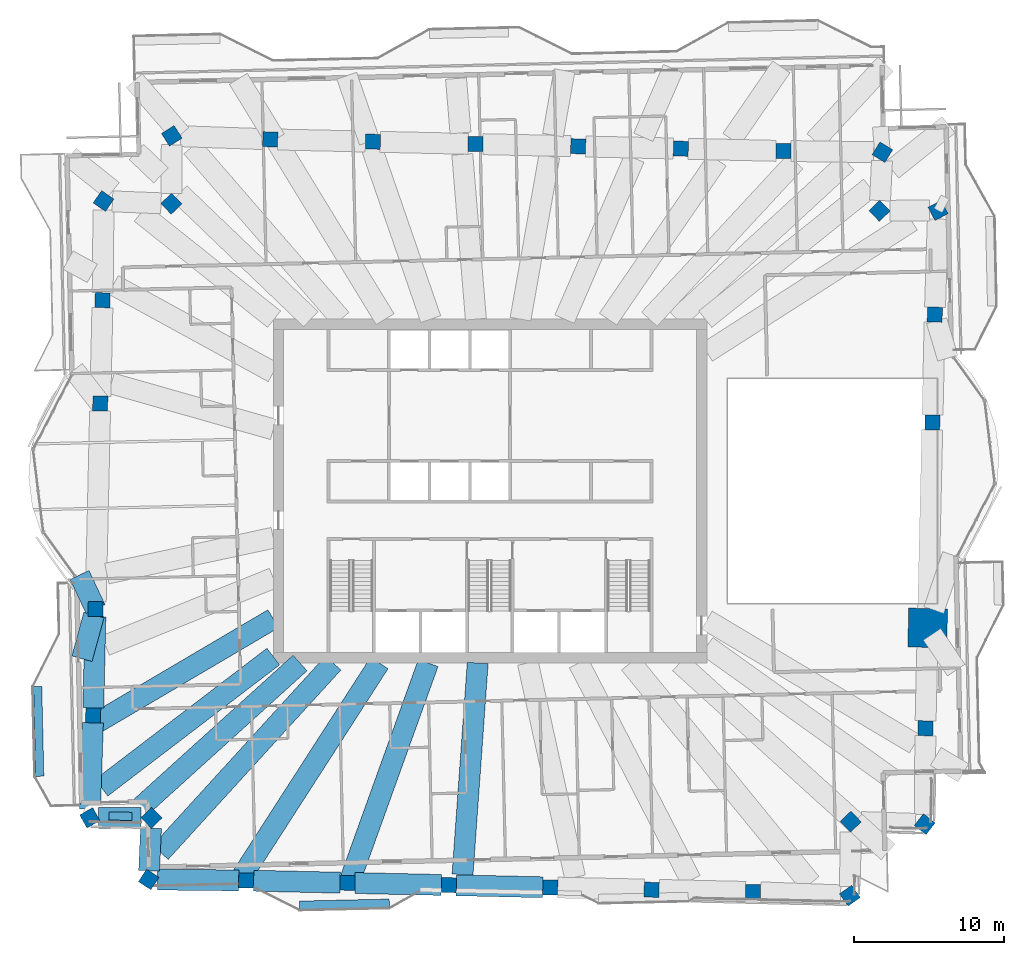
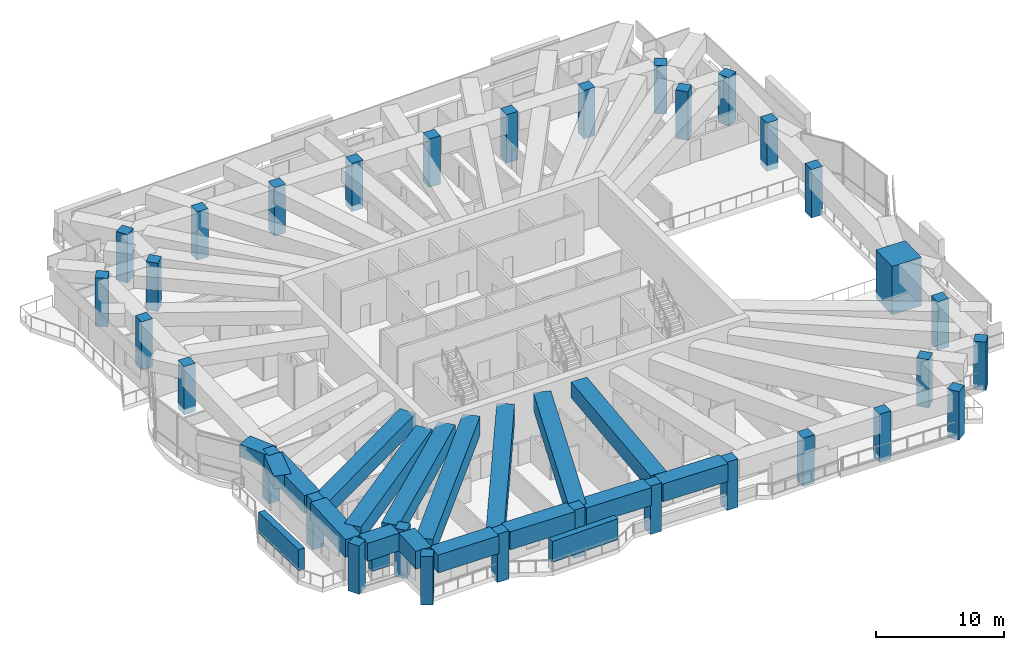
# One storey, part 1 of 21: 32 columns, 17 beams, 3 members.
"""IFC4 building model written with IfcOpenShell, lengths in metres."""

import ifcopenshell
import ifcopenshell.guid

model = None  # the IFC model being written
_history = None  # IfcOwnerHistory: only IFC2X3 demands one
_inside = {}  # id of a spatial element -> (the spatial element, [elements in it])
_under = {}  # id of a project, library or spatial element -> (it, [spatial elements below it])
_declared = {}  # id of a project -> (the project, [libraries it declares])
_typed = {}  # id of a type object -> (the type object, [elements of that type])
_made_of = {}  # id of a material, layer set ... -> (it, [elements and type objects made of it])


def new_model(schema):
    """Start an empty IFC model of exactly this schema.

    Asked for "IFC4X3", IfcOpenShell would pick the latest addendum, in which some entities
    have other attributes; the version numbers below select the first issue.
    IFC2X3 requires an IfcOwnerHistory on every rooted entity: one is made here for all.
    """
    global model, _history
    if schema == "IFC4X3":
        model = ifcopenshell.file(schema_version=(4, 3, 0, 0))
    else:
        model = ifcopenshell.file(schema=schema)
    _inside.clear()
    _under.clear()
    _declared.clear()
    _typed.clear()
    _made_of.clear()
    _history = None
    if model.schema == "IFC2X3":
        org = make("IfcOrganization", Name="unknown")
        user = make(
            "IfcPersonAndOrganization",
            ThePerson=make("IfcPerson", FamilyName="unknown"),
            TheOrganization=org,
        )
        app = make(
            "IfcApplication",
            ApplicationDeveloper=org,
            Version="unknown",
            ApplicationFullName="unknown",
            ApplicationIdentifier="unknown",
        )
        _history = make(
            "IfcOwnerHistory",
            OwningUser=user,
            OwningApplication=app,
            ChangeAction="ADDED",
            CreationDate=0,
        )
    return model


def make(cls, **values):
    """One entity of the class cls with the attributes given. An attribute that is None is left unset."""
    return model.create_entity(
        cls, **{name: value for name, value in values.items() if value is not None}
    )


def rooted(cls, **values):
    """An entity with a GlobalId (a new one), such as an element, a storey or a relation."""
    return make(cls, GlobalId=ifcopenshell.guid.new(), OwnerHistory=_history, **values)


def si_unit(unit_type, name, prefix=None):
    """IfcSIUnit, for example si_unit("LENGTHUNIT", "METRE", prefix="MILLI")."""
    return make("IfcSIUnit", UnitType=unit_type, Prefix=prefix, Name=name)


def assignment(units):
    """IfcUnitAssignment: the units of a project."""
    return None if units is None else make("IfcUnitAssignment", Units=units)


def point(xyz):
    """IfcCartesianPoint."""
    return None if xyz is None else make("IfcCartesianPoint", Coordinates=xyz)


def direction(xyz):
    """IfcDirection."""
    return None if xyz is None else make("IfcDirection", DirectionRatios=xyz)


def frame(location, z_axis=None, x_axis=None):
    """IfcAxis2Placement3D, a coordinate frame: its origin and axes. An axis left out is left unset."""
    return make(
        "IfcAxis2Placement3D",
        Location=point(location),
        Axis=direction(z_axis),
        RefDirection=direction(x_axis),
    )


def frame_2d(location, x_axis=None):
    """IfcAxis2Placement2D, a coordinate frame in the plane: its origin and x axis."""
    return make(
        "IfcAxis2Placement2D", Location=point(location), RefDirection=direction(x_axis)
    )


def origin():
    """The frame at (0, 0, 0) with its axes left unset."""
    return frame((0.0, 0.0, 0.0))


def origin_2d():
    """The frame at (0, 0) in the plane with its x axis left unset."""
    return frame_2d((0.0, 0.0))


def place(relative_to, where):
    """IfcLocalPlacement: puts the frame where relative to a parent placement (None: the world)."""
    return make(
        "IfcLocalPlacement", PlacementRelTo=relative_to, RelativePlacement=where
    )


def context(
    kind, dimensions, precision=None, world=None, true_north=None, identifier=None
):
    """IfcGeometricRepresentationContext, for example the 3D "Model" context."""
    return make(
        "IfcGeometricRepresentationContext",
        ContextIdentifier=identifier,
        ContextType=kind,
        CoordinateSpaceDimension=dimensions,
        Precision=precision,
        WorldCoordinateSystem=world,
        TrueNorth=true_north,
    )


def subcontext(parent, identifier, kind, view, scale=None):
    """IfcGeometricRepresentationSubContext, for example "Body" below "Model"."""
    return make(
        "IfcGeometricRepresentationSubContext",
        ContextIdentifier=identifier,
        ContextType=kind,
        ParentContext=parent,
        TargetScale=scale,
        TargetView=view,
    )


def project(units=None, contexts=None):
    """IfcProject with its units and contexts."""
    return rooted(
        "IfcProject",
        Name="project",
        RepresentationContexts=contexts,
        UnitsInContext=assignment(units),
    )


def spatial(cls, under=None, at=None, **own):
    """A site, building, storey or space (cls), placed at a placement, below another one or the project."""
    s = rooted(cls, ObjectPlacement=at, **own)
    if under is not None:
        _under.setdefault(under.id(), (under, []))[1].append(s)
    return s


def profile(cls, at=None, kind="AREA", **sizes):
    """A parametric profile (cls). Its sizes go by their IFC names, for example OverallWidth=200.0."""
    return make(cls, ProfileType=kind, Position=at, **sizes)


def rectangle(**sizes):
    """IfcRectangleProfileDef."""
    return profile("IfcRectangleProfileDef", **sizes)


def extrude(swept, where, along, depth):
    """IfcExtrudedAreaSolid: the profile swept, set in the frame where, extruded along a direction by depth."""
    return make(
        "IfcExtrudedAreaSolid",
        SweptArea=swept,
        Position=where,
        ExtrudedDirection=direction(along),
        Depth=depth,
    )


def shape(context_of_items, identifier, shape_type, items):
    """IfcShapeRepresentation: the items that make up one representation, for example the "Body"."""
    return make(
        "IfcShapeRepresentation",
        ContextOfItems=context_of_items,
        RepresentationIdentifier=identifier,
        RepresentationType=shape_type,
        Items=items,
    )


def material(Name=None, Category=None):
    """IfcMaterial."""
    return make("IfcMaterial", Name=Name, Category=Category)


def material_profile(
    of_material, cross_section, Name=None, Category=None, Priority=None
):
    """IfcMaterialProfile: a cross section and its material."""
    return make(
        "IfcMaterialProfile",
        Name=Name,
        Material=of_material,
        Profile=cross_section,
        Priority=Priority,
        Category=Category,
    )


def profile_set(profiles, Name=None, composite=None):
    """IfcMaterialProfileSet."""
    return make(
        "IfcMaterialProfileSet",
        Name=Name,
        MaterialProfiles=profiles,
        CompositeProfile=composite,
    )


def made_of(thing, what):
    """Note that an element or type object is made of a material, layer set ...; save() writes the relation."""
    if what is not None:
        _made_of.setdefault(what.id(), (what, []))[1].append(thing)
    return thing


def type_object(cls, material=None, **own):
    """A type object (cls), such as IfcWallType, which elements share."""
    return made_of(rooted(cls, **own), material)


def element(
    cls,
    number,
    at=None,
    inside=None,
    cuts=None,
    type_object=None,
    material=None,
    context=None,
    identifier="Body",
    shape_type=None,
    held_by="IfcProductDefinitionShape",
    body=None,
    shapes=None,
    **own,
):
    """One element of the class cls, such as IfcWall. Its Tag is "e" and its number.

    at: its placement. inside: the storey or other place that contains it. cuts: it is an
    opening in that element (IfcRelVoidsElement). A single representation is given by context,
    identifier, shape_type and body (its items); several are given by shapes. held_by: the class
    of the entity that holds the representations. save() writes the other relations.
    """
    e = rooted(cls, Tag="e%d" % number, ObjectPlacement=at, **own)
    if body is not None:
        shapes = [shape(context, identifier, shape_type, body)]
    if shapes is not None:
        e.Representation = make(held_by, Representations=shapes)
    if inside is not None:
        _inside.setdefault(inside.id(), (inside, []))[1].append(e)
    if cuts is not None:
        rooted(
            "IfcRelVoidsElement", RelatingBuildingElement=cuts, RelatedOpeningElement=e
        )
    if type_object is not None:
        _typed.setdefault(type_object.id(), (type_object, []))[1].append(e)
    return made_of(e, material)


def aggregate(whole, parts):
    """IfcRelAggregates: a whole, such as a stair, and the parts it consists of."""
    return rooted("IfcRelAggregates", RelatingObject=whole, RelatedObjects=parts)


def save(model, path):
    """Write the relations noted so far, then the file.

    IfcRelAggregates (storeys below a building ...), IfcRelContainedInSpatialStructure (elements
    in a storey), IfcRelDefinesByType, IfcRelAssociatesMaterial and IfcRelDeclares: one each for
    every whole, place, type object, material and project.
    """
    for whole, parts in _under.values():
        aggregate(whole, parts)
    for where, things in _inside.values():
        rooted(
            "IfcRelContainedInSpatialStructure",
            RelatedElements=things,
            RelatingStructure=where,
        )
    for kind, things in _typed.values():
        rooted("IfcRelDefinesByType", RelatedObjects=things, RelatingType=kind)
    for what, things in _made_of.values():
        rooted("IfcRelAssociatesMaterial", RelatedObjects=things, RelatingMaterial=what)
    for by, libraries in _declared.values():
        rooted("IfcRelDeclares", RelatingContext=by, RelatedDefinitions=libraries)
    model.write(path)


model = new_model("IFC4")

# Units and contexts
model_context = context("Model", 3, precision=1e-05, world=origin(), true_north=direction((0.0, 1.0)))
body_context = subcontext(model_context, "Body", "Model", "MODEL_VIEW")
ifc_project = project(units=[si_unit("LENGTHUNIT", "METRE"), si_unit("AREAUNIT", "SQUARE_METRE"), si_unit("VOLUMEUNIT", "CUBIC_METRE"), si_unit("PLANEANGLEUNIT", "RADIAN"), si_unit("MASSUNIT", "GRAM", prefix="KILO")], contexts=[model_context])

# Site, building, storey
site_placement = place(None, origin())
site = spatial("IfcSite", under=ifc_project, at=site_placement, CompositionType="ELEMENT")
building_placement = place(site_placement, origin())
building = spatial("IfcBuilding", under=site, at=building_placement, Name="Mangrove Gate Tower", CompositionType="ELEMENT")
storey_placement = place(building_placement, frame((0.0, 0.0, 275.300048828125)))
storey = spatial("IfcBuildingStorey", under=building, at=storey_placement, Name="L70", CompositionType="ELEMENT", Elevation=275.300048828125)

# Columns
ifc_material_1 = material(Name="Concrete C50/60", Category="concrete")
ifc_material_profile_1 = material_profile(ifc_material_1, rectangle(XDim=1.0, YDim=1.0, at=origin_2d()))
ifc_profile_set_1 = profile_set([ifc_material_profile_1], Name="Concrete C50/60")
column_type_1 = type_object("IfcColumnType", Name="Column RC 1000x1000 C50/60", PredefinedType="COLUMN", material=ifc_profile_set_1)
for number, where, z_axis, x_axis, name in (
    (1, (-26.385009765625, -7.892333984375, -0.550048828125), (0.0, 0.0, 1.0), (-0.022672414846, -0.999742947765, 0.0), "Column L70 W05"),
    (2, (-26.546142578125, -15.002197265625, -0.550048828125), (0.0, 0.0, 1.0), (-0.022636766921, -0.999743755561, 0.0), "Column L70 W06"),
    (3, (-26.770751953125, -21.857666015625, -0.550048828125), (0.0, 0.0, 1.0), (0.488846659431, -0.872369728706, 0.0), "Column L70 W07"),
    (4, (-22.646484375, -21.8515625, -0.550048828125), (0.0, 0.0, 1.0), (0.690844076144, -0.723003777622, 0.0), "Column L70 W08"),
    (5, (-22.8310546875, -25.97705078125, -0.550048828125), (0.0, 0.0, 1.0), (0.837962090781, -0.545728443838, 0.0), "Column L70 S01"),
    (6, (-16.312744140625, -26.050048828125, -0.550048828125), (0.0, 0.0, 1.0), (0.999742139886, -0.022708010396, 0.0), "Column L70 S02"),
    (7, (-9.53271484375, -26.2041015625, -0.550048828125), (0.0, 0.0, 1.0), (0.99974381087, -0.022634324086, 0.0), "Column L70 S03"),
    (8, (-2.752685546875, -26.357177734375, -0.550048828125), (0.0, 0.0, 1.0), (0.99974381087, -0.022634324086, 0.0), "Column L70 S04"),
    (9, (4.02734375, -26.51123046875, -0.550048828125), (0.0, 0.0, 1.0), (0.999742139886, -0.022708010396, 0.0), "Column L70 S05"),
    (10, (10.807373046875, -26.6650390625, -0.550048828125), (0.0, 0.0, 1.0), (0.999742139886, -0.022708010396, 0.0), "Column L70 S06"),
    (11, (17.58740234375, -26.819091796875, -0.550048828125), (0.0, 0.0, 1.0), (0.999742139886, -0.022708010396, 0.0), "Column L70 S07"),
    (12, (24.068359375, -27.06396484375, -0.550048828125), (0.0, 0.0, 1.0), (0.818120763293, 0.575046447402, 0.0), "Column L70 S08"),
    (13, (24.12353515625, -22.112548828125, -0.550048828125), (0.0, 0.0, 1.0), (0.722976563275, 0.690872556232, 0.0), "Column L70 E01"),
    (14, (29.073974609375, -22.2802734375, -0.550048828125), (0.0, 0.0, 1.0), (0.615428397343, 0.788192798586, 0.0), "Column L70 E02"),
    (15, (29.1201171875, -15.86572265625, -0.550048828125), (0.0, 0.0, 1.0), (0.022718026002, 0.999741912343, 0.0), "Column L70 E03"),
    (16, (29.585205078125, 4.59228515625, -0.550048828125), (0.0, 0.0, 1.0), (0.022659642318, 0.999743237341, 0.0), "Column L70 E05"),
    (17, (29.748046875, 11.80224609375, -0.550048828125), (0.0, 0.0, 1.0), (0.0226694311, 0.999743015426, 0.0), "Column L70 E06"),
    (18, (29.96923828125, 18.76953125, -0.550048828125), (0.0, 0.0, 1.0), (-0.465021631321, 0.885299317973, 0.0), "Column L70 E07"),
    (19, (26.051513671875, 18.74658203125, -0.550048828125), (0.0, 0.0, 1.0), (-0.690925538708, 0.722925929788, 0.0), "Column L70 E08"),
    (20, (26.24267578125, 22.664794921875, -0.550048828125), (0.0, 0.0, 1.0), (-0.852456548942, 0.522798079727, 0.0), "Column L70 N01"),
    (21, (19.626708984375, 22.7470703125, -0.550048828125), (0.0, 0.0, 1.0), (-0.999741985691, 0.022714797976, 0.0), "Column L70 N02"),
    (22, (12.7607421875, 22.903076171875, -0.550048828125), (0.0, 0.0, 1.0), (-0.999741948423, 0.022716438162, 0.0), "Column L70 N03"),
    (23, (5.895751953125, 23.05908203125, -0.550048828125), (0.0, 0.0, 1.0), (-0.999741948423, 0.022716438162, 0.0), "Column L70 N04"),
    (24, (-0.97021484375, 23.215087890625, -0.550048828125), (0.0, 0.0, 1.0), (-0.999743636626, 0.022642019015, 0.0), "Column L70 N05"),
    (25, (-7.83642578125, 23.3701171875, -0.550048828125), (0.0, 0.0, 1.0), (-0.999743599083, 0.022643676653, 0.0), "Column L70 N06"),
    (26, (-14.701416015625, 23.526123046875, -0.550048828125), (0.0, 0.0, 1.0), (-0.999741948423, 0.022716438162, 0.0), "Column L70 N07"),
    (27, (-21.287353515625, 23.760498046875, -0.550048828125), (0.0, 0.0, 1.0), (-0.843247759492, -0.53752508417, 0.0), "Column L70 N08"),
    (28, (-21.314453125, 19.221435546875, -0.550048828125), (0.0, 0.0, 1.0), (-0.722988982899, -0.690859559249, 0.0), "Column L70 W01"),
    (29, (-25.84912109375, 19.401611328125, -0.550048828125), (0.0, 0.0, 1.0), (-0.572799342172, -0.819695622538, 0.0), "Column L70 W02"),
    (30, (-25.916015625, 12.765625, -0.550048828125), (0.0, 0.0, 1.0), (-0.022711552501, -0.999742059425, 0.0), "Column L70 W03"),
    (31, (-26.0732421875, 5.854736328125, -0.550048828125), (0.0, 0.0, 1.0), (-0.022697227041, -0.99974238476, 0.0), "Column L70 W04"),
):
    element("IfcColumn", number, at=place(storey_placement, frame(where, z_axis=z_axis, x_axis=x_axis)), inside=storey, type_object=column_type_1, Name=name, PredefinedType="COLUMN", context=body_context, shape_type="SweptSolid", body=[
        extrude(rectangle(XDim=1.0, YDim=1.0, at=origin_2d()), origin(), (0.0, 0.0, 1.0), 4.60009765625),
    ])
ifc_material_2 = material(Name="Concrete C50/60", Category="concrete")
ifc_material_profile_2 = material_profile(ifc_material_2, rectangle(XDim=2.60009765625, YDim=2.60009765625, at=origin_2d()))
ifc_profile_set_2 = profile_set([ifc_material_profile_2], Name="Concrete C50/60")
column_type_2 = type_object("IfcColumnType", Name="Column RC 2600x2600 C50/60", PredefinedType="COLUMN", material=ifc_profile_set_2)
column_placement = place(storey_placement, frame((29.273193359375, -9.154541015625, -0.550048828125), z_axis=(0.0, 0.0, 1.0), x_axis=(0.022723627062, 0.999741785049, 0.0)))
element("IfcColumn", 32, at=column_placement, inside=storey, type_object=column_type_2, Name="Column L70 E04", PredefinedType="COLUMN", context=body_context, shape_type="SweptSolid", body=[
    extrude(rectangle(XDim=2.60009765625, YDim=2.60009765625, at=origin_2d()), origin(), (0.0, 0.0, 1.0), 4.60009765625),
])

# Members
ifc_material_3 = material(Name="Planting on aluminium trellis", Category="aluminium")
ifc_material_profile_3 = material_profile(ifc_material_3, rectangle(XDim=0.550048828125, YDim=2.0, at=origin_2d()))
ifc_profile_set_3 = profile_set([ifc_material_profile_3], Name="Planting on aluminium trellis")
member_type_1 = type_object("IfcMemberType", Name="Balcony greenery screen 550x2000", PredefinedType="USERDEFINED", material=ifc_profile_set_3)
member_1_placement = place(storey_placement, frame((-30.12109375, -19.074951171875, 1.800048828125), z_axis=(-0.022665943652, 0.999743094499, 0.0), x_axis=(-0.999743094499, -0.022665943652, 0.0)))
element("IfcMember", 33, at=member_1_placement, inside=storey, type_object=member_type_1, Name="GREEN SCREEN L70 W1.1", ObjectType="PLANTING", PredefinedType="USERDEFINED", context=body_context, shape_type="SweptSolid", body=[
    extrude(rectangle(XDim=0.550048828125, YDim=2.0, at=origin_2d()), origin(), (0.0, 0.0, 1.0), 5.99951171875),
])
member_2_placement = place(storey_placement, frame((-12.738037109375, -27.697998046875, 1.800048828125), z_axis=(0.999743178102, 0.022662255828, 0.0), x_axis=(-0.022662255828, 0.999743178102, 0.0)))
element("IfcMember", 34, at=member_2_placement, inside=storey, type_object=member_type_1, Name="GREEN SCREEN L70 S0.1", ObjectType="PLANTING", PredefinedType="USERDEFINED", context=body_context, shape_type="SweptSolid", body=[
    extrude(rectangle(XDim=0.550048828125, YDim=2.0, at=origin_2d()), origin(), (0.0, 0.0, 1.0), 6.00048828125),
])
ifc_material_4 = material(Name="Planting on aluminium trellis", Category="aluminium")
ifc_material_profile_4 = material_profile(ifc_material_4, rectangle(XDim=0.550048828125, YDim=1.800048828125, at=origin_2d()))
ifc_profile_set_4 = profile_set([ifc_material_profile_4], Name="Planting on aluminium trellis")
member_type_2 = type_object("IfcMemberType", Name="Roof greenery screen 550x1800", PredefinedType="USERDEFINED", material=ifc_profile_set_4)
member_3_placement = place(storey_placement, frame((-23.947021484375, -21.760986328125, 1.699951171875), z_axis=(-0.999732408314, 0.023132482925, 0.0), x_axis=(-0.023132482925, -0.999732408314, 0.0)))
element("IfcMember", 35, at=member_3_placement, inside=storey, type_object=member_type_2, Name="GREEN SCREEN L70 T4.1.6", ObjectType="PLANTING", PredefinedType="USERDEFINED", context=body_context, shape_type="SweptSolid", body=[
    extrude(rectangle(XDim=0.550048828125, YDim=1.800048828125, at=origin_2d()), origin(), (0.0, 0.0, 1.0), 1.551513671875),
])

# Beams
ifc_material_5 = material(Name="Concrete C50/60", Category="concrete")
ifc_material_profile_5 = material_profile(ifc_material_5, rectangle(XDim=1.39990234375, YDim=1.199951171875, at=origin_2d()))
ifc_profile_set_5 = profile_set([ifc_material_profile_5], Name="Concrete C50/60")
beam_type_1 = type_object("IfcBeamType", Name="Transfer girder RC 1400x1200 C50/60", PredefinedType="BEAM", material=ifc_profile_set_5)
beam_1_placement = place(storey_placement, frame((-26.385009765625, -7.892333984375, 3.449951171875), z_axis=(-0.425339713013, 0.90503377204, 0.0), x_axis=(-0.90503377204, -0.425339713013, 0.0)))
element("IfcBeam", 36, at=beam_1_placement, inside=storey, type_object=beam_type_1, Name="Transfer edge girder L70 00", PredefinedType="BEAM", context=body_context, shape_type="SweptSolid", body=[
    extrude(rectangle(XDim=1.39990234375, YDim=1.199951171875, at=origin_2d()), origin(), (0.0, 0.0, 1.0), 2.519775390625),
])
beam_2_placement = place(storey_placement, frame((-26.494873046875, -8.29296875, 3.449951171875), z_axis=(-0.264045085525, -0.964510338363, 0.0), x_axis=(0.964510338363, -0.264045085525, 0.0)))
element("IfcBeam", 37, at=beam_2_placement, inside=storey, type_object=beam_type_1, Name="Transfer edge girder L70 01", PredefinedType="BEAM", context=body_context, shape_type="SweptSolid", body=[
    extrude(rectangle(XDim=1.39990234375, YDim=1.199951171875, at=origin_2d()), origin(), (0.0, 0.0, 1.0), 3.028076171875),
])
ifc_material_6 = material(Name="Concrete C50/60", Category="concrete")
ifc_material_profile_6 = material_profile(ifc_material_6, rectangle(XDim=1.39990234375, YDim=1.39990234375, at=origin_2d()))
ifc_profile_set_6 = profile_set([ifc_material_profile_6], Name="Concrete C50/60")
beam_type_2 = type_object("IfcBeamType", Name="Transfer girder RC 1400x1400 C50/60", PredefinedType="BEAM", material=ifc_profile_set_6)
beam_3_placement = place(storey_placement, frame((-14.5, -8.54150390625, 3.349853515625), z_axis=(-0.861631809818, -0.507533865185, 0.0), x_axis=(0.507533865185, -0.861631809818, 0.0)))
element("IfcBeam", 38, at=beam_3_placement, inside=storey, type_object=beam_type_2, Name="Transfer girder L70 02", PredefinedType="BEAM", context=body_context, shape_type="SweptSolid", body=[
    extrude(rectangle(XDim=1.39990234375, YDim=1.39990234375, at=origin_2d()), origin(), (0.0, 0.0, 1.0), 13.725341796875),
])
ifc_material_7 = material(Name="Concrete C50/60", Category="concrete")
ifc_material_profile_7 = material_profile(ifc_material_7, rectangle(XDim=1.39990234375, YDim=1.5, at=origin_2d()))
ifc_profile_set_7 = profile_set([ifc_material_profile_7], Name="Concrete C50/60")
beam_type_3 = type_object("IfcBeamType", Name="Transfer girder RC 1400x1500 C50/60", PredefinedType="BEAM", material=ifc_profile_set_7)
beam_4_placement = place(storey_placement, frame((-14.5, -11.068603515625, 3.300048828125), z_axis=(-0.794884800688, -0.606760375796, 0.0), x_axis=(0.606760375796, -0.794884800688, 0.0)))
element("IfcBeam", 39, at=beam_4_placement, inside=storey, type_object=beam_type_3, Name="Transfer girder L70 03", PredefinedType="BEAM", context=body_context, shape_type="SweptSolid", body=[
    extrude(rectangle(XDim=1.39990234375, YDim=1.5, at=origin_2d()), origin(), (0.0, 0.0, 1.0), 14.45703125),
])
beam_5_placement = place(storey_placement, frame((-12.708740234375, -11.5, 3.300048828125), z_axis=(-0.741486273929, -0.670968036179, 0.0), x_axis=(0.670968036179, -0.741486273929, 0.0)))
element("IfcBeam", 40, at=beam_5_placement, inside=storey, type_object=beam_type_3, Name="Transfer girder L70 04", PredefinedType="BEAM", context=body_context, shape_type="SweptSolid", body=[
    extrude(rectangle(XDim=1.39990234375, YDim=1.5, at=origin_2d()), origin(), (0.0, 0.0, 1.0), 14.37109375),
])
beam_6_placement = place(storey_placement, frame((-0.82568359375, -11.5, 3.300048828125), z_axis=(-0.071600283983, -0.997433405964, 0.0), x_axis=(0.997433405964, -0.071600283983, 0.0)))
element("IfcBeam", 41, at=beam_6_placement, inside=storey, type_object=beam_type_3, Name="Transfer girder L70 08", PredefinedType="BEAM", context=body_context, shape_type="SweptSolid", body=[
    extrude(rectangle(XDim=1.39990234375, YDim=1.5, at=origin_2d()), origin(), (0.0, 0.0, 1.0), 14.19482421875),
])
ifc_material_8 = material(Name="Concrete C50/60", Category="concrete")
ifc_material_profile_8 = material_profile(ifc_material_8, rectangle(XDim=1.39990234375, YDim=1.60009765625, at=origin_2d()))
ifc_profile_set_8 = profile_set([ifc_material_profile_8], Name="Concrete C50/60")
beam_type_4 = type_object("IfcBeamType", Name="Transfer girder RC 1400x1600 C50/60", PredefinedType="BEAM", material=ifc_profile_set_8)
beam_7_placement = place(storey_placement, frame((-4.138671875, -11.5, 3.25), z_axis=(-0.338632072888, -0.940918869622, 0.0), x_axis=(0.940918869622, -0.338632072888, 0.0)))
element("IfcBeam", 42, at=beam_7_placement, inside=storey, type_object=beam_type_4, Name="Transfer girder L70 07", PredefinedType="BEAM", context=body_context, shape_type="SweptSolid", body=[
    extrude(rectangle(XDim=1.39990234375, YDim=1.60009765625, at=origin_2d()), origin(), (0.0, 0.0, 1.0), 15.629638671875),
])
ifc_material_9 = material(Name="Concrete C50/60", Category="concrete")
ifc_material_profile_9 = material_profile(ifc_material_9, rectangle(XDim=1.39990234375, YDim=1.699951171875, at=origin_2d()))
ifc_profile_set_9 = profile_set([ifc_material_profile_9], Name="Concrete C50/60")
beam_type_5 = type_object("IfcBeamType", Name="Transfer girder RC 1400x1700 C50/60", PredefinedType="BEAM", material=ifc_profile_set_9)
beam_8_placement = place(storey_placement, frame((-26.396484375, -8.39208984375, 3.199951171875), z_axis=(-0.022648815514, -0.999743482677, 0.0), x_axis=(0.999743482677, -0.022648815514, 0.0)))
element("IfcBeam", 43, at=beam_8_placement, inside=storey, type_object=beam_type_5, Name="Transfer ring girder L70 00", PredefinedType="BEAM", context=body_context, shape_type="SweptSolid", body=[
    extrude(rectangle(XDim=1.39990234375, YDim=1.699951171875, at=origin_2d()), origin(), (0.0, 0.0, 1.0), 6.11181640625),
])
beam_9_placement = place(storey_placement, frame((-26.5625, -15.502197265625, 3.199951171875), z_axis=(-0.032765815093, -0.999463056526, 0.0), x_axis=(0.999463056526, -0.032765815093, 0.0)))
element("IfcBeam", 44, at=beam_9_placement, inside=storey, type_object=beam_type_5, Name="Transfer ring girder L70 01", PredefinedType="BEAM", context=body_context, shape_type="SweptSolid", body=[
    extrude(rectangle(XDim=1.39990234375, YDim=1.699951171875, at=origin_2d()), origin(), (0.0, 0.0, 1.0), 5.774658203125),
])
beam_10_placement = place(storey_placement, frame((-26.1982421875, -21.856689453125, 3.199951171875), z_axis=(0.99999894783, 0.001450634193, 0.0), x_axis=(-0.001450634193, 0.99999894783, 0.0)))
element("IfcBeam", 45, at=beam_10_placement, inside=storey, type_object=beam_type_5, Name="Transfer ring girder L70 02", PredefinedType="BEAM", context=body_context, shape_type="SweptSolid", body=[
    extrude(rectangle(XDim=1.39990234375, YDim=1.699951171875, at=origin_2d()), origin(), (0.0, 0.0, 1.0), 2.861083984375),
])
beam_11_placement = place(storey_placement, frame((-22.677490234375, -22.54296875, 3.199951171875), z_axis=(-0.044690570426, -0.999000877334, 0.0), x_axis=(0.999000877334, -0.044690570426, 0.0)))
element("IfcBeam", 46, at=beam_11_placement, inside=storey, type_object=beam_type_5, Name="Transfer ring girder L70 03", PredefinedType="BEAM", context=body_context, shape_type="SweptSolid", body=[
    extrude(rectangle(XDim=1.39990234375, YDim=1.699951171875, at=origin_2d()), origin(), (0.0, 0.0, 1.0), 2.857177734375),
])
beam_12_placement = place(storey_placement, frame((-22.23876953125, -25.983642578125, 3.199951171875), z_axis=(0.999937245586, -0.011202896475, 0.0), x_axis=(0.011202896475, 0.999937245586, 0.0)))
element("IfcBeam", 47, at=beam_12_placement, inside=storey, type_object=beam_type_5, Name="Transfer ring girder L70 04", PredefinedType="BEAM", context=body_context, shape_type="SweptSolid", body=[
    extrude(rectangle(XDim=1.39990234375, YDim=1.699951171875, at=origin_2d()), origin(), (0.0, 0.0, 1.0), 5.42626953125),
])
for number, where, z_axis, x_axis, name in (
    (48, (-15.812744140625, -26.0615234375, 3.199951171875), (0.999741922736, -0.022717568611, 0.0), (0.022717568611, 0.999741922736, 0.0), "Transfer ring girder L70 05"),
    (49, (-9.03271484375, -26.21533203125, 3.199951171875), (0.999744791798, -0.02259095555, 0.0), (0.02259095555, 0.999744791798, 0.0), "Transfer ring girder L70 06"),
):
    element("IfcBeam", number, at=place(storey_placement, frame(where, z_axis=z_axis, x_axis=x_axis)), inside=storey, type_object=beam_type_5, Name=name, PredefinedType="BEAM", context=body_context, shape_type="SweptSolid", body=[
        extrude(rectangle(XDim=1.39990234375, YDim=1.699951171875, at=origin_2d()), origin(), (0.0, 0.0, 1.0), 5.78173828125),
    ])
beam_13_placement = place(storey_placement, frame((-2.2529296875, -26.368408203125, 3.199951171875), z_axis=(0.999741944527, -0.022716609628, 0.0), x_axis=(0.022716609628, 0.999741944527, 0.0)))
element("IfcBeam", 50, at=beam_13_placement, inside=storey, type_object=beam_type_5, Name="Transfer ring girder L70 07", PredefinedType="BEAM", context=body_context, shape_type="SweptSolid", body=[
    extrude(rectangle(XDim=1.39990234375, YDim=1.699951171875, at=origin_2d()), origin(), (0.0, 0.0, 1.0), 5.781982421875),
])
ifc_material_10 = material(Name="Concrete C50/60", Category="concrete")
ifc_material_profile_10 = material_profile(ifc_material_10, rectangle(XDim=1.39990234375, YDim=1.800048828125, at=origin_2d()))
ifc_profile_set_10 = profile_set([ifc_material_profile_10], Name="Concrete C50/60")
beam_type_6 = type_object("IfcBeamType", Name="Transfer girder RC 1400x1800 C50/60", PredefinedType="BEAM", material=ifc_profile_set_10)
beam_14_placement = place(storey_placement, frame((-10.49169921875, -11.5, 3.14990234375), z_axis=(-0.673977533641, -0.73875184206, 0.0), x_axis=(0.73875184206, -0.673977533641, 0.0)))
element("IfcBeam", 51, at=beam_14_placement, inside=storey, type_object=beam_type_6, Name="Transfer girder L70 05", PredefinedType="BEAM", context=body_context, shape_type="SweptSolid", body=[
    extrude(rectangle(XDim=1.39990234375, YDim=1.800048828125, at=origin_2d()), origin(), (0.0, 0.0, 1.0), 17.141845703125),
])
beam_15_placement = place(storey_placement, frame((-7.408447265625, -11.5, 3.14990234375), z_axis=(-0.541567506902, -0.840657263971, 0.0), x_axis=(0.840657263971, -0.541567506902, 0.0)))
element("IfcBeam", 52, at=beam_15_placement, inside=storey, type_object=beam_type_6, Name="Transfer girder L70 06", PredefinedType="BEAM", context=body_context, shape_type="SweptSolid", body=[
    extrude(rectangle(XDim=1.39990234375, YDim=1.800048828125, at=origin_2d()), origin(), (0.0, 0.0, 1.0), 17.3017578125),
])

save(model, "model.ifc")
